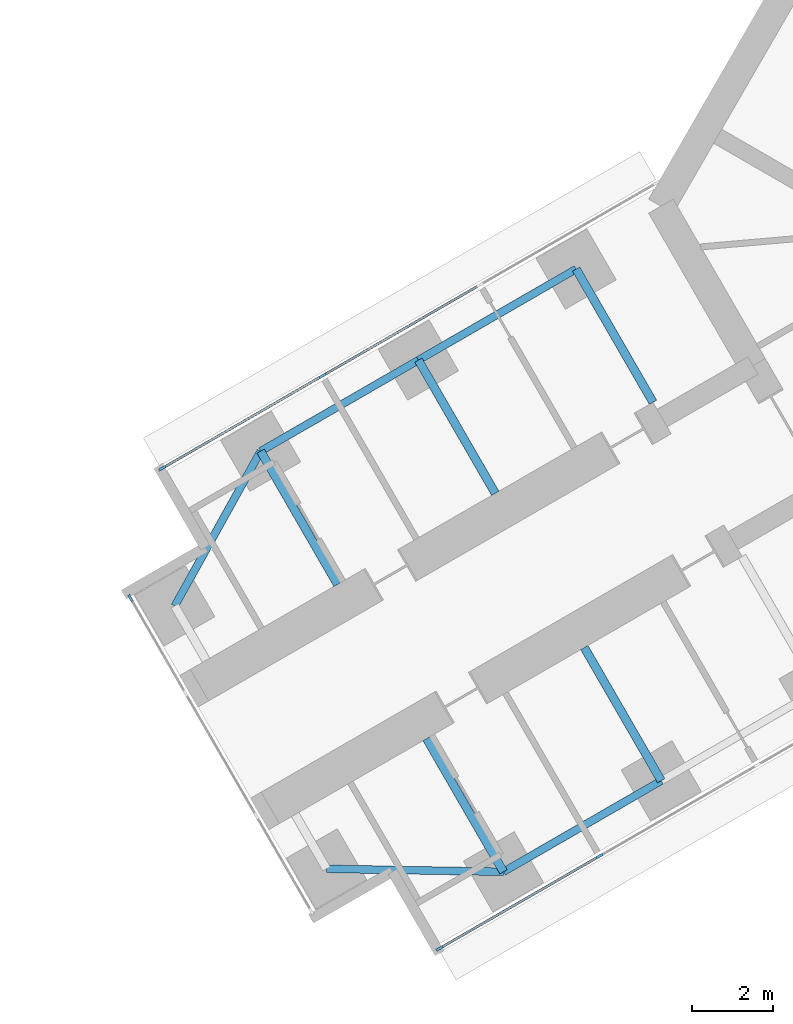
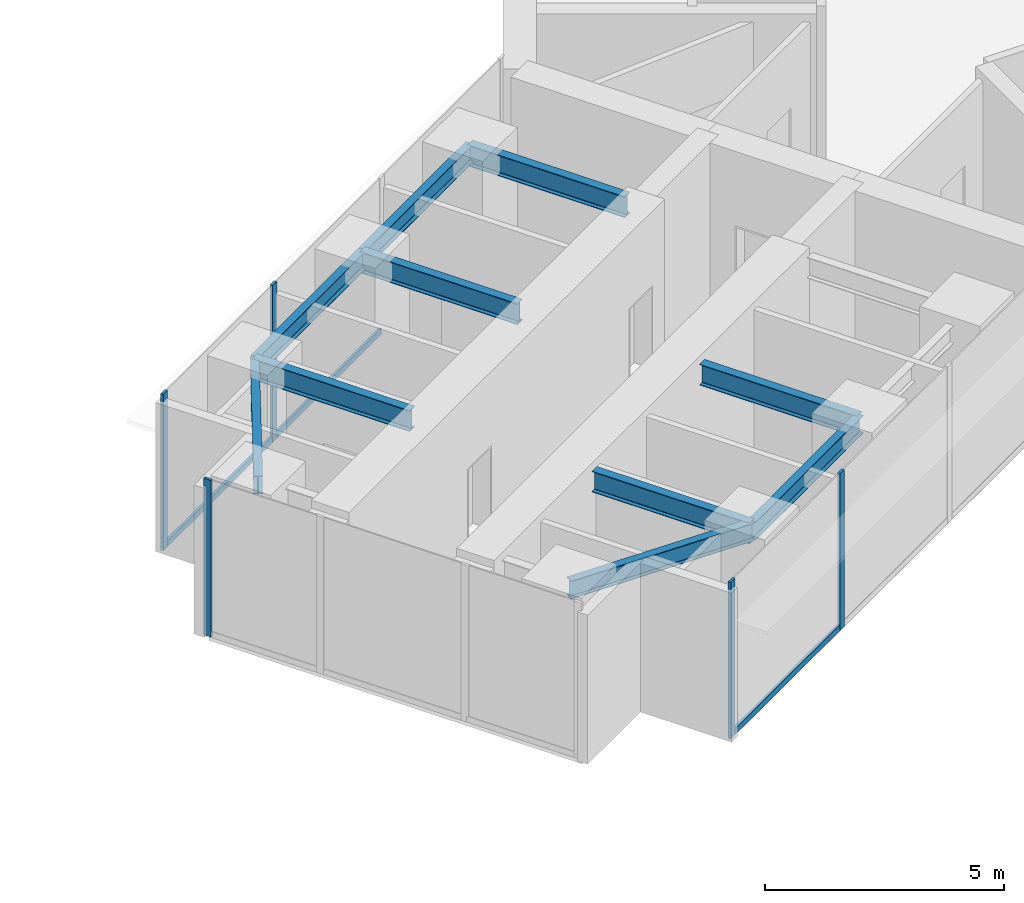
# One storey, part 4 of 24: 10 beams, 8 members, 3 elements without a shape of their own.
"""IFC4 building model written with IfcOpenShell, lengths in metres."""

from ifc_helpers import new_model, si_unit, direction, frame, origin, origin_2d, place, context, subcontext, project, spatial, rectangle, i_section, extrude, material, material_profile, profile_set, type_object, element, aggregate, save


model = new_model("IFC4")

# Units and contexts
model_context = context("Model", 3, precision=1e-05, world=origin(), true_north=direction((0.0, 1.0)))
body_context = subcontext(model_context, "Body", "Model", "MODEL_VIEW")
ifc_project = project(units=[si_unit("LENGTHUNIT", "METRE"), si_unit("AREAUNIT", "SQUARE_METRE"), si_unit("VOLUMEUNIT", "CUBIC_METRE"), si_unit("PLANEANGLEUNIT", "RADIAN"), si_unit("MASSUNIT", "GRAM", prefix="KILO")], contexts=[model_context])

# Site, building, storey
site_placement = place(None, origin())
site = spatial("IfcSite", under=ifc_project, at=site_placement, CompositionType="ELEMENT")
building_placement = place(site_placement, origin())
building = spatial("IfcBuilding", under=site, at=building_placement, Name="Upepo Twin Towers", CompositionType="ELEMENT")
storey_placement = place(building_placement, frame((0.0, 0.0, 60.5)))
storey = spatial("IfcBuildingStorey", under=building, at=storey_placement, Name="L14", CompositionType="ELEMENT", Elevation=60.5)

# Beams
ifc_material_1 = material(Name="Steel S355", Category="steel")
ifc_material_profile_1 = material_profile(ifc_material_1, i_section(OverallWidth=0.1904296875, OverallDepth=0.45703125, WebThickness=0.009033203125, FlangeThickness=0.014404296875, FilletRadius=0.01025390625, at=origin_2d()), Name="UB 457x191x74")
ifc_profile_set_1 = profile_set([ifc_material_profile_1], Name="Steel S355")
beam_type_1 = type_object("IfcBeamType", Name="Beam UB 457x191x74", PredefinedType="BEAM", material=ifc_profile_set_1)
beam_1_placement = place(storey_placement, frame((45.91162109375, -32.196044921875, 3.571533203125), z_axis=(-0.866031096941, -0.499990139034, 0.0), x_axis=(0.499990139034, -0.866031096941, 0.0)))
element("IfcBeam", 1, at=beam_1_placement, inside=storey, type_object=beam_type_1, Name="T2 edge beam BL 18.0-22.5", PredefinedType="BEAM", context=body_context, shape_type="SweptSolid", body=[
    extrude(i_section(OverallWidth=0.1904296875, OverallDepth=0.45703125, WebThickness=0.009033203125, FlangeThickness=0.014404296875, FilletRadius=0.01025390625, at=origin_2d()), origin(), (0.0, 0.0, 1.0), 4.5),
])
beam_2_placement = place(storey_placement, frame((42.014404296875, -34.446044921875, 3.571533203125), z_axis=(-0.999858804832, 0.016803880528, 0.0), x_axis=(-0.016803880528, -0.999858804832, 0.0)))
element("IfcBeam", 2, at=beam_2_placement, inside=storey, type_object=beam_type_1, Name="T2 nose edge beam BL", PredefinedType="BEAM", context=body_context, shape_type="SweptSolid", body=[
    extrude(i_section(OverallWidth=0.1904296875, OverallDepth=0.45703125, WebThickness=0.009033203125, FlangeThickness=0.014404296875, FilletRadius=0.01025390625, at=origin_2d()), origin(), (0.0, 0.0, 1.0), 4.373291015625),
])
beam_3_placement = place(storey_placement, frame((43.80859375, -19.553955078125, 3.571533203125), z_axis=(-0.866017533419, -0.500013631625, 0.0), x_axis=(0.500013631625, -0.866017533419, 0.0)))
element("IfcBeam", 3, at=beam_3_placement, inside=storey, type_object=beam_type_1, Name="T2 edge beam BR 13.5-18.0", PredefinedType="BEAM", context=body_context, shape_type="SweptSolid", body=[
    extrude(i_section(OverallWidth=0.1904296875, OverallDepth=0.45703125, WebThickness=0.009033203125, FlangeThickness=0.014404296875, FilletRadius=0.01025390625, at=origin_2d()), origin(), (0.0, 0.0, 1.0), 4.499755859375),
])
beam_4_placement = place(storey_placement, frame((39.91162109375, -21.803955078125, 3.571533203125), z_axis=(-0.866031096941, -0.499990139034, 0.0), x_axis=(0.499990139034, -0.866031096941, 0.0)))
element("IfcBeam", 4, at=beam_4_placement, inside=storey, type_object=beam_type_1, Name="T2 edge beam BR 18.0-22.5", PredefinedType="BEAM", context=body_context, shape_type="SweptSolid", body=[
    extrude(i_section(OverallWidth=0.1904296875, OverallDepth=0.45703125, WebThickness=0.009033203125, FlangeThickness=0.014404296875, FilletRadius=0.01025390625, at=origin_2d()), origin(), (0.0, 0.0, 1.0), 4.5),
])
beam_5_placement = place(storey_placement, frame((36.014404296875, -24.053955078125, 3.571533203125), z_axis=(-0.485363242752, -0.874312600038, 0.0), x_axis=(0.874312600038, -0.485363242752, 0.0)))
element("IfcBeam", 5, at=beam_5_placement, inside=storey, type_object=beam_type_1, Name="T2 nose edge beam BR", PredefinedType="BEAM", context=body_context, shape_type="SweptSolid", body=[
    extrude(i_section(OverallWidth=0.1904296875, OverallDepth=0.45703125, WebThickness=0.009033203125, FlangeThickness=0.014404296875, FilletRadius=0.01025390625, at=origin_2d()), origin(), (0.0, 0.0, 1.0), 4.373046875),
])
ifc_material_2 = material(Name="Steel S355", Category="steel")
ifc_material_profile_2 = material_profile(ifc_material_2, i_section(OverallWidth=0.209228515625, OverallDepth=0.533203125, WebThickness=0.010009765625, FlangeThickness=0.015625, FilletRadius=0.0126953125, at=origin_2d()), Name="UB 533x210x92")
ifc_profile_set_2 = profile_set([ifc_material_profile_2], Name="Steel S355")
beam_type_2 = type_object("IfcBeamType", Name="Beam UB 533x210x92", PredefinedType="BEAM", material=ifc_profile_set_2)
beam_6_placement = place(storey_placement, frame((45.91162109375, -32.196044921875, 3.533447265625), z_axis=(-0.500043160704, 0.866000483506, 0.0), x_axis=(-0.866000483506, -0.500043160704, 0.0)))
element("IfcBeam", 6, at=beam_6_placement, inside=storey, type_object=beam_type_2, Name="T2 girder BL at 18.0", PredefinedType="BEAM", context=body_context, shape_type="SweptSolid", body=[
    extrude(i_section(OverallWidth=0.209228515625, OverallDepth=0.533203125, WebThickness=0.010009765625, FlangeThickness=0.015625, FilletRadius=0.0126953125, at=origin_2d()), origin(), (0.0, 0.0, 1.0), 3.800048828125),
])
beam_7_placement = place(storey_placement, frame((42.014404296875, -34.446044921875, 3.533447265625), z_axis=(-0.499994975061, 0.866028304915, 0.0), x_axis=(-0.866028304915, -0.499994975061, 0.0)))
element("IfcBeam", 7, at=beam_7_placement, inside=storey, type_object=beam_type_2, Name="T2 girder BL at 22.5", PredefinedType="BEAM", context=body_context, shape_type="SweptSolid", body=[
    extrude(i_section(OverallWidth=0.209228515625, OverallDepth=0.533203125, WebThickness=0.010009765625, FlangeThickness=0.015625, FilletRadius=0.0126953125, at=origin_2d()), origin(), (0.0, 0.0, 1.0), 3.7998046875),
])
beam_8_placement = place(storey_placement, frame((43.80859375, -19.553955078125, 3.533447265625), z_axis=(0.500043160704, -0.866000483506, 0.0), x_axis=(0.866000483506, 0.500043160704, 0.0)))
element("IfcBeam", 8, at=beam_8_placement, inside=storey, type_object=beam_type_2, Name="T2 girder BR at 13.5", PredefinedType="BEAM", context=body_context, shape_type="SweptSolid", body=[
    extrude(i_section(OverallWidth=0.209228515625, OverallDepth=0.533203125, WebThickness=0.010009765625, FlangeThickness=0.015625, FilletRadius=0.0126953125, at=origin_2d()), origin(), (0.0, 0.0, 1.0), 3.800048828125),
])
for number, where, z_axis, x_axis, name in (
    (9, (39.91162109375, -21.803955078125, 3.533447265625), (0.499994975061, -0.866028304915, 0.0), (0.866028304915, 0.499994975061, 0.0), "T2 girder BR at 18.0"),
    (10, (36.014404296875, -24.053955078125, 3.533447265625), (0.499994975061, -0.866028304915, 0.0), (0.866028304915, 0.499994975061, 0.0), "T2 girder BR at 22.5"),
):
    element("IfcBeam", number, at=place(storey_placement, frame(where, z_axis=z_axis, x_axis=x_axis)), inside=storey, type_object=beam_type_2, Name=name, PredefinedType="BEAM", context=body_context, shape_type="SweptSolid", body=[
        extrude(i_section(OverallWidth=0.209228515625, OverallDepth=0.533203125, WebThickness=0.010009765625, FlangeThickness=0.015625, FilletRadius=0.0126953125, at=origin_2d()), origin(), (0.0, 0.0, 1.0), 3.7998046875),
    ])

# Curtain wall, members
ifc_material_3 = material(Name="Aluminium and fritted glass", Category="aluminium")
curtain_wall_type = type_object("IfcCurtainWallType", Name="Tower curtain wall TW1, fritted glass", PredefinedType="NOTDEFINED", material=ifc_material_3)
curtain_wall_1_placement = place(storey_placement, origin())
curtain_wall_1 = element("IfcCurtainWall", 11, at=curtain_wall_1_placement, inside=storey, type_object=curtain_wall_type, Name="T2 L14 wing B flank L curtain wall", PredefinedType="NOTDEFINED")
ifc_material_4 = material(Name="Aluminium mullion", Category="aluminium")
ifc_material_profile_3 = material_profile(ifc_material_4, rectangle(XDim=0.06494140625, YDim=0.179931640625, at=origin_2d()), Name="MULLION 65x180")
ifc_profile_set_3 = profile_set([ifc_material_profile_3], Name="Aluminium mullion")
member_type_1 = type_object("IfcMemberType", Name="Mullion 65x180 TW1", PredefinedType="MULLION", material=ifc_profile_set_3)
member_1_placement = place(storey_placement, frame((44.387939453125, -34.057373046875, 0.0), z_axis=(0.0, 0.0, 1.0), x_axis=(0.500000024426, -0.866025389682, 0.0)))
member_1 = element("IfcMember", 12, at=member_1_placement, type_object=member_type_1, Name="T2 L14 wing B flank L curtain wall mullion 3", PredefinedType="MULLION", context=body_context, shape_type="SweptSolid", body=[
    extrude(rectangle(XDim=0.06494140625, YDim=0.179931640625, at=origin_2d()), origin(), (0.0, 0.0, 1.0), 4.0),
])
member_2_placement = place(storey_placement, frame((40.432373046875, -36.341064453125, 0.0), z_axis=(0.0, 0.0, 1.0), x_axis=(0.500000024426, -0.866025389682, 0.0)))
member_2 = element("IfcMember", 13, at=member_2_placement, type_object=member_type_1, Name="T2 L14 wing B flank L curtain wall mullion 4", PredefinedType="MULLION", context=body_context, shape_type="SweptSolid", body=[
    extrude(rectangle(XDim=0.06494140625, YDim=0.179931640625, at=origin_2d()), origin(), (0.0, 0.0, 1.0), 4.0),
])

curtain_wall_2_placement = place(storey_placement, origin())
curtain_wall_2 = element("IfcCurtainWall", 14, at=curtain_wall_2_placement, inside=storey, type_object=curtain_wall_type, Name="T2 L14 wing B flank R curtain wall", PredefinedType="NOTDEFINED")
member_3_placement = place(storey_placement, frame((33.58251953125, -24.4765625, 0.0), z_axis=(0.0, 0.0, 1.0), x_axis=(-0.500000024426, 0.866025389682, 0.0)))
member_3 = element("IfcMember", 15, at=member_3_placement, type_object=member_type_1, Name="T2 L14 wing B flank R curtain wall mullion 1", PredefinedType="MULLION", context=body_context, shape_type="SweptSolid", body=[
    extrude(rectangle(XDim=0.06494140625, YDim=0.179931640625, at=origin_2d()), origin(), (0.0, 0.0, 1.0), 4.0),
])
member_4_placement = place(storey_placement, frame((37.5380859375, -22.192626953125, 0.0), z_axis=(0.0, 0.0, 1.0), x_axis=(-0.500000024426, 0.866025389682, 0.0)))
member_4 = element("IfcMember", 16, at=member_4_placement, type_object=member_type_1, Name="T2 L14 wing B flank R curtain wall mullion 2", PredefinedType="MULLION", context=body_context, shape_type="SweptSolid", body=[
    extrude(rectangle(XDim=0.06494140625, YDim=0.179931640625, at=origin_2d()), origin(), (0.0, 0.0, 1.0), 4.0),
])

# Curtain wall, member
curtain_wall_3_placement = place(storey_placement, origin())
curtain_wall_3 = element("IfcCurtainWall", 17, at=curtain_wall_3_placement, inside=storey, type_object=curtain_wall_type, Name="T2 L14 wing B nose curtain wall", PredefinedType="NOTDEFINED")
member_5_placement = place(storey_placement, frame((32.796875, -27.68115234375, 0.0), z_axis=(0.0, 0.0, 1.0), x_axis=(0.866025386174, 0.500000030502, 0.0)))
member_5 = element("IfcMember", 18, at=member_5_placement, type_object=member_type_1, Name="T2 L14 wing B nose curtain wall mullion 1", PredefinedType="MULLION", context=body_context, shape_type="SweptSolid", body=[
    extrude(rectangle(XDim=0.06494140625, YDim=0.179931640625, at=origin_2d()), origin(), (0.0, 0.0, 1.0), 4.0),
])
aggregate(curtain_wall_3, [member_5])

# Member
ifc_material_5 = material(Name="Aluminium transom", Category="aluminium")
ifc_material_profile_4 = material_profile(ifc_material_5, rectangle(XDim=0.06494140625, YDim=0.14990234375, at=origin_2d()), Name="TRANSOM 65x150")
ifc_profile_set_4 = profile_set([ifc_material_profile_4], Name="Aluminium transom")
member_type_2 = type_object("IfcMemberType", Name="Transom 65x150 TW1", PredefinedType="USERDEFINED", material=ifc_profile_set_4)
member_6_placement = place(storey_placement, frame((44.35986328125, -34.073486328125, 0.074951171875), z_axis=(-0.866035699072, -0.499982167615, 0.0), x_axis=(0.499982167615, -0.866035699072, 0.0)))
member_6 = element("IfcMember", 19, at=member_6_placement, type_object=member_type_2, Name="T2 L14 wing B flank L curtain wall transom 3", ObjectType="TRANSOM", PredefinedType="USERDEFINED", context=body_context, shape_type="SweptSolid", body=[
    extrude(rectangle(XDim=0.06494140625, YDim=0.14990234375, at=origin_2d()), origin(), (0.0, 0.0, 1.0), 4.502685546875),
])

aggregate(curtain_wall_1, [member_1, member_2, member_6])

member_7_placement = place(storey_placement, frame((33.610595703125, -24.460205078125, 0.074951171875), z_axis=(0.866022143554, 0.500005646842, 0.0), x_axis=(-0.500005646842, 0.866022143554, 0.0)))
member_7 = element("IfcMember", 20, at=member_7_placement, type_object=member_type_2, Name="T2 L14 wing B flank R curtain wall transom 1", ObjectType="TRANSOM", PredefinedType="USERDEFINED", context=body_context, shape_type="SweptSolid", body=[
    extrude(rectangle(XDim=0.06494140625, YDim=0.14990234375, at=origin_2d()), origin(), (0.0, 0.0, 1.0), 4.50244140625),
])

member_8_placement = place(storey_placement, frame((37.566162109375, -22.176513671875, 0.074951171875), z_axis=(0.866022410713, 0.500005184116, 0.0), x_axis=(-0.500005184116, 0.866022410713, 0.0)))
member_8 = element("IfcMember", 21, at=member_8_placement, type_object=member_type_2, Name="T2 L14 wing B flank R curtain wall transom 2", ObjectType="TRANSOM", PredefinedType="USERDEFINED", context=body_context, shape_type="SweptSolid", body=[
    extrude(rectangle(XDim=0.06494140625, YDim=0.14990234375, at=origin_2d()), origin(), (0.0, 0.0, 1.0), 4.43505859375),
])

aggregate(curtain_wall_2, [member_3, member_4, member_7, member_8])

save(model, "model.ifc")
